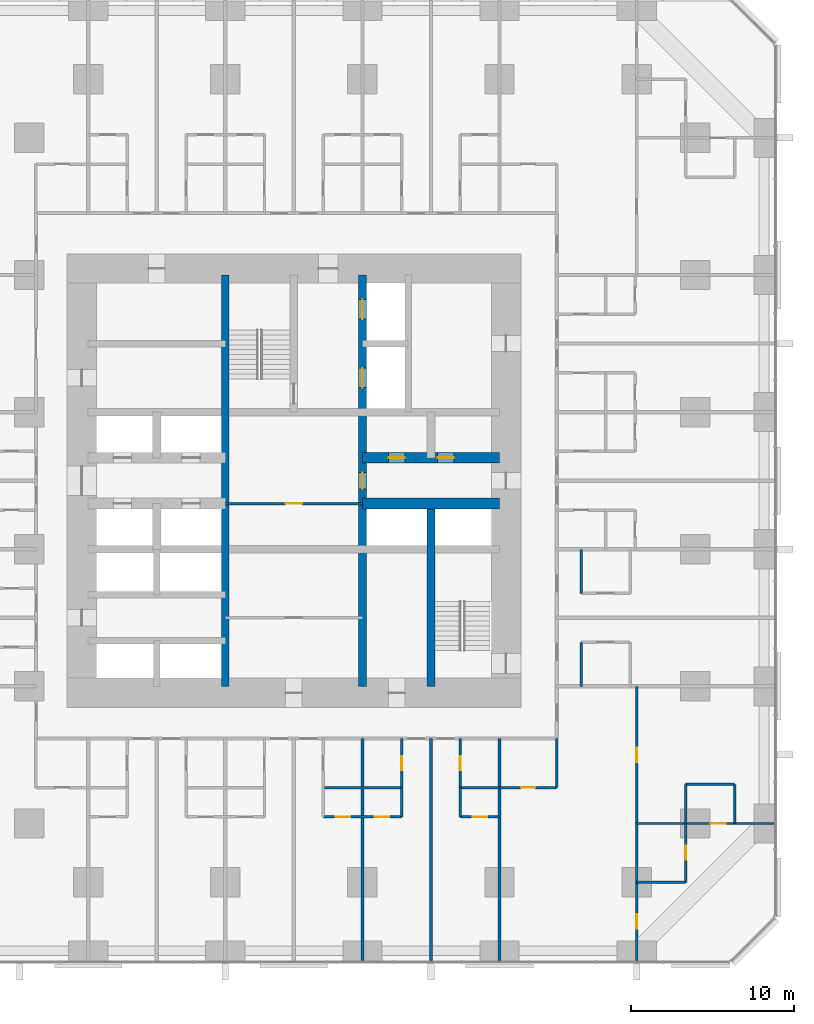
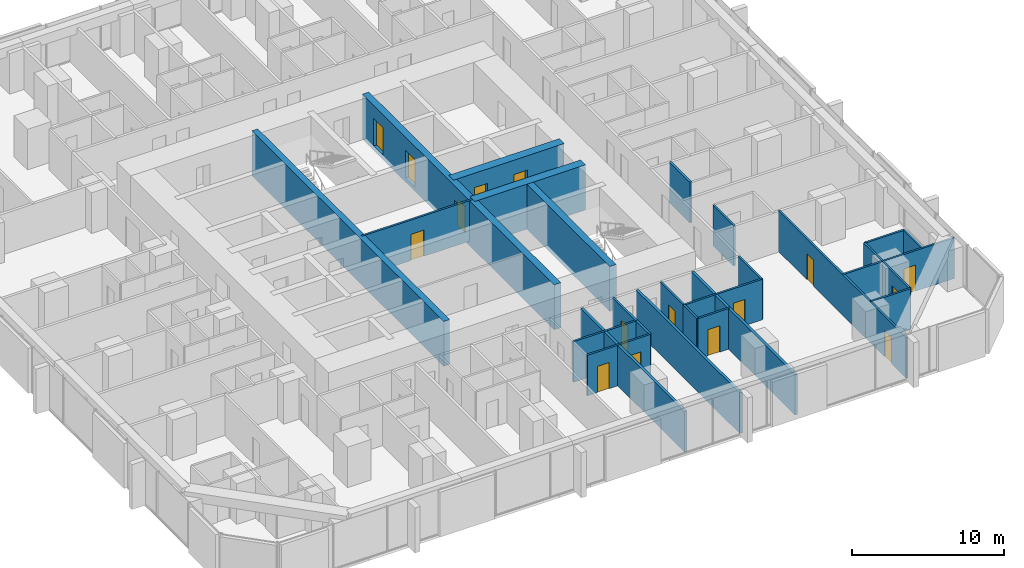
# One storey, part 13 of 18: 28 walls, 16 doors, 16 openings.
"""IFC4 building model written with IfcOpenShell, lengths in metres."""

from ifc_helpers import new_model, si_unit, direction, frame, frame_2d, origin, place, context, subcontext, project, spatial, rectangle, extrude, material, layer, layer_set, type_object, element, fill, save


model = new_model("IFC4")

# Units and contexts
model_context = context("Model", 3, precision=1e-05, world=origin(), true_north=direction((0.0, 1.0)))
body_context = subcontext(model_context, "Body", "Model", "MODEL_VIEW")
ifc_project = project(units=[si_unit("LENGTHUNIT", "METRE"), si_unit("AREAUNIT", "SQUARE_METRE"), si_unit("VOLUMEUNIT", "CUBIC_METRE"), si_unit("PLANEANGLEUNIT", "RADIAN"), si_unit("MASSUNIT", "GRAM", prefix="KILO")], contexts=[model_context])

# Site, building, storey
site_placement = place(None, origin())
site = spatial("IfcSite", under=ifc_project, at=site_placement, CompositionType="ELEMENT")
building_placement = place(site_placement, origin())
building = spatial("IfcBuilding", under=site, at=building_placement, Name="Dunama Terrace Hotel", CompositionType="ELEMENT")
storey_placement = place(building_placement, frame((0.0, 0.0, 30.60009765625)))
storey = spatial("IfcBuildingStorey", under=building, at=storey_placement, Name="L06", CompositionType="ELEMENT", Elevation=30.60009765625)

# Wall, opening, door
ifc_material_1 = material(Name="Gypsum board partition", Category="masonry")
ifc_layer_1 = layer(ifc_material_1, 0.14990234375)
ifc_layer_set_1 = layer_set([ifc_layer_1], Name="Bathroom partition 150")
wall_type_1 = type_object("IfcWallType", Name="Bathroom partition 150", PredefinedType="PARTITIONING", material=ifc_layer_set_1)
wall_1_placement = place(storey_placement, frame((36.0, 10.60009765625, 0.0), z_axis=(0.0, 0.0, 1.0), x_axis=(0.0, 1.0, 0.0)))
wall_1 = element("IfcWall", 1, at=wall_1_placement, inside=storey, type_object=wall_type_1, Name="Bathroom partition 150 L06", PredefinedType="PARTITIONING", context=body_context, shape_type="SweptSolid", body=[
    extrude(rectangle(XDim=3.0, YDim=0.14990234375, at=frame_2d((1.5, 0.0))), origin(), (0.0, 0.0, 1.0), 3.25),
])
opening_1_placement = place(wall_1_placement, frame((1.074951171875, 0.0, 0.0)))
opening_1 = element("IfcOpeningElement", 2, at=opening_1_placement, cuts=wall_1, Name="Opening L06-022", PredefinedType="OPENING", context=body_context, shape_type="SweptSolid", body=[
    extrude(rectangle(XDim=0.85009765625, YDim=2.10009765625, at=frame_2d((0.425048828125, 1.050048828125))), frame((0.0, 0.0849609375, 0.0), z_axis=(0.0, -1.0, 0.0), x_axis=(1.0, 0.0, 0.0)), (0.0, 0.0, 1.0), 0.169921875),
])
ifc_material_2 = material(Name="Timber door with steel frame", Category="steel")
door_type_1 = type_object("IfcDoorType", Name="Bathroom door 850", OperationType="SINGLE_SWING_LEFT", PredefinedType="DOOR", material=ifc_material_2)
door_1_placement = place(opening_1_placement, origin())
door_1 = element("IfcDoor", 3, at=door_1_placement, inside=storey, type_object=door_type_1, Name="Door to en-suite bathroom L06-022, type D2", OperationType="SINGLE_SWING_RIGHT", OverallHeight=2.10009765625, OverallWidth=0.85009765625, PredefinedType="DOOR", context=body_context, shape_type="SweptSolid", body=[
    extrude(rectangle(XDim=0.85009765625, YDim=2.10009765625, at=frame_2d((0.425048828125, 1.050048828125))), frame((0.0, 0.02490234375, 0.0), z_axis=(0.0, -1.0, 0.0), x_axis=(1.0, 0.0, 0.0)), (0.0, 0.0, 1.0), 0.050048828125),
])
fill(opening_1, door_1)

wall_2_placement = place(storey_placement, frame((39.60009765625, 10.60009765625, 0.0), z_axis=(0.0, 0.0, 1.0), x_axis=(0.0, 1.0, 0.0)))
wall_2 = element("IfcWall", 4, at=wall_2_placement, inside=storey, type_object=wall_type_1, Name="Bathroom partition 150 L06", PredefinedType="PARTITIONING", context=body_context, shape_type="SweptSolid", body=[
    extrude(rectangle(XDim=3.0, YDim=0.14990234375, at=frame_2d((1.5, 0.0))), origin(), (0.0, 0.0, 1.0), 3.25),
])
opening_2_placement = place(wall_2_placement, frame((1.074951171875, 0.0, 0.0)))
opening_2 = element("IfcOpeningElement", 5, at=opening_2_placement, cuts=wall_2, Name="Opening L06-025", PredefinedType="OPENING", context=body_context, shape_type="SweptSolid", body=[
    extrude(rectangle(XDim=0.85009765625, YDim=2.10009765625, at=frame_2d((0.425048828125, 1.050048828125))), frame((0.0, 0.0849609375, 0.0), z_axis=(0.0, -1.0, 0.0), x_axis=(1.0, 0.0, 0.0)), (0.0, 0.0, 1.0), 0.169921875),
])
door_2_placement = place(opening_2_placement, frame((0.85009765625, 0.0, 0.0), z_axis=(0.0, 0.0, 1.0), x_axis=(-1.0, 0.0, 0.0)))
door_2 = element("IfcDoor", 6, at=door_2_placement, inside=storey, type_object=door_type_1, Name="Door to en-suite bathroom L06-025, type D2", OperationType="SINGLE_SWING_LEFT", OverallHeight=2.10009765625, OverallWidth=0.85009765625, PredefinedType="DOOR", context=body_context, shape_type="SweptSolid", body=[
    extrude(rectangle(XDim=0.85009765625, YDim=2.10009765625, at=frame_2d((0.425048828125, 1.050048828125))), frame((0.0, 0.025146484375, 0.0), z_axis=(0.0, -1.0, 0.0), x_axis=(1.0, 0.0, 0.0)), (0.0, 0.0, 1.0), 0.050048828125),
])
fill(opening_2, door_2)

# Walls
wall_3_placement = place(storey_placement, frame((45.5, 10.60009765625, 0.0), z_axis=(0.0, 0.0, 1.0), x_axis=(0.0, 1.0, 0.0)))
element("IfcWall", 7, at=wall_3_placement, inside=storey, type_object=wall_type_1, Name="Bathroom partition 150 L06", PredefinedType="PARTITIONING", context=body_context, shape_type="SweptSolid", body=[
    extrude(rectangle(XDim=3.0, YDim=0.14990234375, at=frame_2d((1.5, 0.0))), origin(), (0.0, 0.0, 1.0), 3.25),
])
for number, where, z_axis, x_axis, name in (
    (8, (47.0, 16.800048828125, 0.0), (0.0, 0.0, 1.0), (0.0, 1.0, 0.0), "Bathroom partition 150 L06"),
    (9, (47.0, 22.5, 0.0), (0.0, 0.0, 1.0), (0.0, 1.0, 0.0), "Bathroom partition 150 L06"),
):
    element("IfcWall", number, at=place(storey_placement, frame(where, z_axis=z_axis, x_axis=x_axis)), inside=storey, type_object=wall_type_1, Name=name, PredefinedType="PARTITIONING", context=body_context, shape_type="SweptSolid", body=[
        extrude(rectangle(XDim=2.699951171875, YDim=0.14990234375, at=frame_2d((1.35009765625, 0.0))), origin(), (0.0, 0.0, 1.0), 3.25),
    ])

# Wall, opening, door
wall_4_placement = place(storey_placement, frame((53.39990234375, 4.800048828125, 0.0), z_axis=(0.0, 0.0, 1.0), x_axis=(0.0, 1.0, 0.0)))
wall_4 = element("IfcWall", 10, at=wall_4_placement, inside=storey, type_object=wall_type_1, Name="Bathroom partition 150 L06", PredefinedType="PARTITIONING", context=body_context, shape_type="SweptSolid", body=[
    extrude(rectangle(XDim=3.599853515625, YDim=0.14990234375, at=frame_2d((1.7998046875, 0.0))), origin(), (0.0, 0.0, 1.0), 3.25),
])
opening_3_placement = place(wall_4_placement, frame((1.375, 0.0, 0.0)))
opening_3 = element("IfcOpeningElement", 11, at=opening_3_placement, cuts=wall_4, Name="Opening L06-083", PredefinedType="OPENING", context=body_context, shape_type="SweptSolid", body=[
    extrude(rectangle(XDim=0.85009765625, YDim=2.10009765625, at=frame_2d((0.425048828125, 1.050048828125))), frame((0.0, 0.0849609375, 0.0), z_axis=(0.0, -1.0, 0.0), x_axis=(1.0, 0.0, 0.0)), (0.0, 0.0, 1.0), 0.169921875),
])
door_3_placement = place(opening_3_placement, origin())
door_3 = element("IfcDoor", 12, at=door_3_placement, inside=storey, type_object=door_type_1, Name="Door to en-suite bathroom L06-083, type D2", OperationType="SINGLE_SWING_RIGHT", OverallHeight=2.10009765625, OverallWidth=0.85009765625, PredefinedType="DOOR", context=body_context, shape_type="SweptSolid", body=[
    extrude(rectangle(XDim=0.85009765625, YDim=2.10009765625, at=frame_2d((0.425048828125, 1.050048828125))), frame((0.0, 0.02490234375, 0.0), z_axis=(0.0, -1.0, 0.0), x_axis=(1.0, 0.0, 0.0)), (0.0, 0.0, 1.0), 0.050048828125),
])
fill(opening_3, door_3)

# Wall
wall_5_placement = place(storey_placement, frame((50.39990234375, 4.800048828125, 0.0), z_axis=(0.0, 0.0, 1.0), x_axis=(1.0, 0.0, 0.0)))
element("IfcWall", 13, at=wall_5_placement, inside=storey, type_object=wall_type_1, Name="Bathroom partition 150 L06", PredefinedType="PARTITIONING", context=body_context, shape_type="SweptSolid", body=[
    extrude(rectangle(XDim=3.0, YDim=0.14990234375, at=frame_2d((1.5, 0.0))), origin(), (0.0, 0.0, 1.0), 3.25),
])

# Wall, opening, door
wall_6_placement = place(storey_placement, frame((42.0, 10.60009765625, 0.0), z_axis=(0.0, 0.0, 1.0), x_axis=(1.0, 0.0, 0.0)))
wall_6 = element("IfcWall", 14, at=wall_6_placement, inside=storey, type_object=wall_type_1, Name="Bathroom partition 150 L06", PredefinedType="PARTITIONING", context=body_context, shape_type="SweptSolid", body=[
    extrude(rectangle(XDim=3.5, YDim=0.14990234375, at=frame_2d((1.75, 0.0))), origin(), (0.0, 0.0, 1.0), 3.25),
])
opening_4_placement = place(wall_6_placement, frame((1.324951171875, 0.0, 0.0)))
opening_4 = element("IfcOpeningElement", 15, at=opening_4_placement, cuts=wall_6, Name="Opening L06-081", PredefinedType="OPENING", context=body_context, shape_type="SweptSolid", body=[
    extrude(rectangle(XDim=0.85009765625, YDim=2.10009765625, at=frame_2d((0.425048828125, 1.050048828125))), frame((0.0, 0.0849609375, 0.0), z_axis=(0.0, -1.0, 0.0), x_axis=(1.0, 0.0, 0.0)), (0.0, 0.0, 1.0), 0.169921875),
])
door_4_placement = place(opening_4_placement, origin())
door_4 = element("IfcDoor", 16, at=door_4_placement, inside=storey, type_object=door_type_1, Name="Door to powder room L06-081, type D2", OperationType="SINGLE_SWING_LEFT", OverallHeight=2.10009765625, OverallWidth=0.85009765625, PredefinedType="DOOR", context=body_context, shape_type="SweptSolid", body=[
    extrude(rectangle(XDim=0.85009765625, YDim=2.10009765625, at=frame_2d((0.425048828125, 1.050048828125))), frame((0.0, 0.02490234375, 0.0), z_axis=(0.0, -1.0, 0.0), x_axis=(1.0, 0.0, 0.0)), (0.0, 0.0, 1.0), 0.050048828125),
])
fill(opening_4, door_4)

# Wall
ifc_material_3 = material(Name="Concrete C50/60", Category="concrete")
ifc_layer_2 = layer(ifc_material_3, 0.449951171875)
ifc_layer_set_2 = layer_set([ifc_layer_2], Name="Core inner wall 450")
wall_type_2 = type_object("IfcWallType", Name="Core inner wall 450", PredefinedType="SHEAR", material=ifc_layer_set_2)
wall_7_placement = place(storey_placement, frame((25.199951171875, 16.800048828125, -0.35009765625), z_axis=(0.0, 0.0, 1.0), x_axis=(0.0, 1.0, 0.0)))
element("IfcWall", 17, at=wall_7_placement, inside=storey, type_object=wall_type_2, Name="Core inner wall 450 L06", PredefinedType="SHEAR", context=body_context, shape_type="SweptSolid", body=[
    extrude(rectangle(XDim=25.199951171875, YDim=0.449951171875, at=frame_2d((12.60009765625, 0.0))), origin(), (0.0, 0.0, 1.0), 3.60009765625),
])

# Wall, openings, doors
ifc_material_4 = material(Name="Concrete C50/60", Category="concrete")
ifc_layer_3 = layer(ifc_material_4, 0.5)
ifc_layer_set_3 = layer_set([ifc_layer_3], Name="Core inner wall 500")
wall_type_3 = type_object("IfcWallType", Name="Core inner wall 500", PredefinedType="SHEAR", material=ifc_layer_set_3)
wall_8_placement = place(storey_placement, frame((33.60009765625, 16.800048828125, -0.35009765625), z_axis=(0.0, 0.0, 1.0), x_axis=(0.0, 1.0, 0.0)))
wall_8 = element("IfcWall", 18, at=wall_8_placement, inside=storey, type_object=wall_type_3, Name="Core inner wall 500 L06", PredefinedType="SHEAR", context=body_context, shape_type="SweptSolid", body=[
    extrude(rectangle(XDim=25.199951171875, YDim=0.5, at=frame_2d((12.60009765625, 0.0))), origin(), (0.0, 0.0, 1.0), 3.60009765625),
])
opening_5_placement = place(wall_8_placement, frame((22.5, 0.0, 0.35009765625)))
opening_5 = element("IfcOpeningElement", 19, at=opening_5_placement, cuts=wall_8, Name="Opening L06-007", PredefinedType="OPENING", context=body_context, shape_type="SweptSolid", body=[
    extrude(rectangle(XDim=1.199951171875, YDim=2.199951171875, at=frame_2d((0.60009765625, 1.10009765625))), frame((0.0, 0.260009765625, 0.0), z_axis=(0.0, -1.0, 0.0), x_axis=(1.0, 0.0, 0.0)), (0.0, 0.0, 1.0), 0.52001953125),
])
opening_6_placement = place(wall_8_placement, frame((18.300048828125, 0.0, 0.35009765625)))
opening_6 = element("IfcOpeningElement", 20, at=opening_6_placement, cuts=wall_8, Name="Opening L06-008", PredefinedType="OPENING", context=body_context, shape_type="SweptSolid", body=[
    extrude(rectangle(XDim=1.199951171875, YDim=2.199951171875, at=frame_2d((0.60009765625, 1.10009765625))), frame((0.0, 0.260009765625, 0.0), z_axis=(0.0, -1.0, 0.0), x_axis=(1.0, 0.0, 0.0)), (0.0, 0.0, 1.0), 0.52001953125),
])
opening_7_placement = place(wall_8_placement, frame((12.10009765625, 0.0, 0.35009765625)))
opening_7 = element("IfcOpeningElement", 21, at=opening_7_placement, cuts=wall_8, Name="Opening L06-102", PredefinedType="OPENING", context=body_context, shape_type="SweptSolid", body=[
    extrude(rectangle(XDim=1.0, YDim=2.10009765625, at=frame_2d((0.5, 1.050048828125))), frame((0.0, 0.260009765625, 0.0), z_axis=(0.0, -1.0, 0.0), x_axis=(1.0, 0.0, 0.0)), (0.0, 0.0, 1.0), 0.52001953125),
])
ifc_material_5 = material(Name="Stainless steel lift door", Category="steel")
door_type_2 = type_object("IfcDoorType", Name="Firefighting lift landing door 1200", OperationType="DOUBLE_DOOR_SLIDING", PredefinedType="DOOR", material=ifc_material_5)
door_5_placement = place(opening_5_placement, origin())
door_5 = element("IfcDoor", 22, at=door_5_placement, inside=storey, type_object=door_type_2, Name="Landing door FL1 L06-007, type LD2", OperationType="DOUBLE_DOOR_SLIDING", OverallHeight=2.199951171875, OverallWidth=1.199951171875, PredefinedType="DOOR", context=body_context, shape_type="SweptSolid", body=[
    extrude(rectangle(XDim=1.199951171875, YDim=2.199951171875, at=frame_2d((0.60009765625, 1.10009765625))), frame((0.0, 0.02490234375, 0.0), z_axis=(0.0, -1.0, 0.0), x_axis=(1.0, 0.0, 0.0)), (0.0, 0.0, 1.0), 0.050048828125),
])
fill(opening_5, door_5)
door_6_placement = place(opening_6_placement, origin())
door_6 = element("IfcDoor", 23, at=door_6_placement, inside=storey, type_object=door_type_2, Name="Landing door FL2 L06-008, type LD2", OperationType="DOUBLE_DOOR_SLIDING", OverallHeight=2.199951171875, OverallWidth=1.199951171875, PredefinedType="DOOR", context=body_context, shape_type="SweptSolid", body=[
    extrude(rectangle(XDim=1.199951171875, YDim=2.199951171875, at=frame_2d((0.60009765625, 1.10009765625))), frame((0.0, 0.02490234375, 0.0), z_axis=(0.0, -1.0, 0.0), x_axis=(1.0, 0.0, 0.0)), (0.0, 0.0, 1.0), 0.050048828125),
])
fill(opening_6, door_6)
ifc_material_6 = material(Name="Timber door with steel frame", Category="steel")
door_type_3 = type_object("IfcDoorType", Name="Service door 1000", OperationType="SINGLE_SWING_LEFT", PredefinedType="DOOR", material=ifc_material_6)
door_7_placement = place(opening_7_placement, origin())
door_7 = element("IfcDoor", 24, at=door_7_placement, inside=storey, type_object=door_type_3, Name="Door to guest amenities store L06-102, type D7", OperationType="SINGLE_SWING_LEFT", OverallHeight=2.10009765625, OverallWidth=1.0, PredefinedType="DOOR", context=body_context, shape_type="SweptSolid", body=[
    extrude(rectangle(XDim=1.0, YDim=2.10009765625, at=frame_2d((0.5, 1.050048828125))), frame((0.0, 0.02490234375, 0.0), z_axis=(0.0, -1.0, 0.0), x_axis=(1.0, 0.0, 0.0)), (0.0, 0.0, 1.0), 0.050048828125),
])
fill(opening_7, door_7)

# Walls
wall_9_placement = place(storey_placement, frame((37.800048828125, 16.800048828125, -0.35009765625), z_axis=(0.0, 0.0, 1.0), x_axis=(0.0, 1.0, 0.0)))
element("IfcWall", 25, at=wall_9_placement, inside=storey, type_object=wall_type_3, Name="Core inner wall 500 L06", PredefinedType="SHEAR", context=body_context, shape_type="SweptSolid", body=[
    extrude(rectangle(XDim=11.199951171875, YDim=0.5, at=frame_2d((5.60009765625, 0.0))), origin(), (0.0, 0.0, 1.0), 3.60009765625),
])
ifc_material_7 = material(Name="Concrete C50/60", Category="concrete")
ifc_layer_4 = layer(ifc_material_7, 0.64990234375)
ifc_layer_set_4 = layer_set([ifc_layer_4], Name="Core inner wall 650")
wall_type_4 = type_object("IfcWallType", Name="Core inner wall 650", PredefinedType="SHEAR", material=ifc_layer_set_4)
wall_10_placement = place(storey_placement, frame((33.60009765625, 28.0, -0.35009765625), z_axis=(0.0, 0.0, 1.0), x_axis=(1.0, 0.0, 0.0)))
element("IfcWall", 26, at=wall_10_placement, inside=storey, type_object=wall_type_4, Name="Core inner wall 650 L06", PredefinedType="SHEAR", context=body_context, shape_type="SweptSolid", body=[
    extrude(rectangle(XDim=8.39990234375, YDim=0.64990234375, at=frame_2d((4.199951171875, 0.0))), origin(), (0.0, 0.0, 1.0), 3.60009765625),
])

# Wall, openings, doors
wall_11_placement = place(storey_placement, frame((33.60009765625, 30.800048828125, -0.35009765625), z_axis=(0.0, 0.0, 1.0), x_axis=(1.0, 0.0, 0.0)))
wall_11 = element("IfcWall", 27, at=wall_11_placement, inside=storey, type_object=wall_type_4, Name="Core inner wall 650 L06", PredefinedType="SHEAR", context=body_context, shape_type="SweptSolid", body=[
    extrude(rectangle(XDim=8.39990234375, YDim=0.64990234375, at=frame_2d((4.199951171875, 0.0))), origin(), (0.0, 0.0, 1.0), 3.60009765625),
])
opening_8_placement = place(wall_11_placement, frame((1.60009765625, 0.0, 0.35009765625)))
opening_8 = element("IfcOpeningElement", 28, at=opening_8_placement, cuts=wall_11, Name="Opening L06-104", PredefinedType="OPENING", context=body_context, shape_type="SweptSolid", body=[
    extrude(rectangle(XDim=1.0, YDim=2.10009765625, at=frame_2d((0.5, 1.050048828125))), frame((0.0, 0.3349609375, 0.0), z_axis=(0.0, -1.0, 0.0), x_axis=(1.0, 0.0, 0.0)), (0.0, 0.0, 1.0), 0.669921875),
])
opening_9_placement = place(wall_11_placement, frame((4.60009765625, 0.0, 0.35009765625)))
opening_9 = element("IfcOpeningElement", 29, at=opening_9_placement, cuts=wall_11, Name="Opening L06-105", PredefinedType="OPENING", context=body_context, shape_type="SweptSolid", body=[
    extrude(rectangle(XDim=1.0, YDim=2.10009765625, at=frame_2d((0.5, 1.050048828125))), frame((0.0, 0.3349609375, 0.0), z_axis=(0.0, -1.0, 0.0), x_axis=(1.0, 0.0, 0.0)), (0.0, 0.0, 1.0), 0.669921875),
])
door_8_placement = place(opening_8_placement, origin())
door_8 = element("IfcDoor", 30, at=door_8_placement, inside=storey, type_object=door_type_3, Name="Door to service riser L06-104, type D7", OperationType="SINGLE_SWING_RIGHT", OverallHeight=2.10009765625, OverallWidth=1.0, PredefinedType="DOOR", context=body_context, shape_type="SweptSolid", body=[
    extrude(rectangle(XDim=1.0, YDim=2.10009765625, at=frame_2d((0.5, 1.050048828125))), frame((0.0, 0.02490234375, 0.0), z_axis=(0.0, -1.0, 0.0), x_axis=(1.0, 0.0, 0.0)), (0.0, 0.0, 1.0), 0.050048828125),
])
fill(opening_8, door_8)
door_9_placement = place(opening_9_placement, origin())
door_9 = element("IfcDoor", 31, at=door_9_placement, inside=storey, type_object=door_type_3, Name="Door to linen store L06-105, type D7", OperationType="SINGLE_SWING_LEFT", OverallHeight=2.10009765625, OverallWidth=1.0, PredefinedType="DOOR", context=body_context, shape_type="SweptSolid", body=[
    extrude(rectangle(XDim=1.0, YDim=2.10009765625, at=frame_2d((0.5, 1.050048828125))), frame((0.0, 0.02490234375, 0.0), z_axis=(0.0, -1.0, 0.0), x_axis=(1.0, 0.0, 0.0)), (0.0, 0.0, 1.0), 0.050048828125),
])
fill(opening_9, door_9)

# Walls
ifc_material_8 = material(Name="Concrete blockwork", Category="masonry")
ifc_layer_5 = layer(ifc_material_8, 0.199951171875)
ifc_layer_set_5 = layer_set([ifc_layer_5], Name="Party wall 200")
wall_type_5 = type_object("IfcWallType", Name="Party wall 200", PredefinedType="PARTITIONING", material=ifc_layer_set_5)
for number, where, z_axis, x_axis, name in (
    (32, (33.60009765625, -0.008056640625, 0.0), (0.0, 0.0, 1.0), (0.0, 1.0, 0.0), "Party wall 200 L06"),
    (33, (37.800048828125, -0.008056640625, 0.0), (0.0, 0.0, 1.0), (0.0, 1.0, 0.0), "Party wall 200 L06"),
    (34, (42.0, -0.008056640625, 0.0), (0.0, 0.0, 1.0), (0.0, 1.0, 0.0), "Party wall 200 L06"),
):
    element("IfcWall", number, at=place(storey_placement, frame(where, z_axis=z_axis, x_axis=x_axis)), inside=storey, type_object=wall_type_5, Name=name, PredefinedType="PARTITIONING", context=body_context, shape_type="SweptSolid", body=[
        extrude(rectangle(XDim=13.608154296875, YDim=0.199951171875, at=frame_2d((6.80419921875, 0.0))), origin(), (0.0, 0.0, 1.0), 3.25),
    ])
ifc_material_9 = material(Name="Gypsum board partition", Category="masonry")
ifc_layer_6 = layer(ifc_material_9, 0.14990234375)
ifc_layer_set_6 = layer_set([ifc_layer_6], Name="Room partition 150")
wall_type_6 = type_object("IfcWallType", Name="Room partition 150", PredefinedType="PARTITIONING", material=ifc_layer_set_6)
for number, where, z_axis, x_axis, name in (
    (35, (36.0, 8.800048828125, 0.0), (0.0, 0.0, 1.0), (0.0, 1.0, 0.0), "Room partition 150 L06"),
    (36, (39.60009765625, 8.800048828125, 0.0), (0.0, 0.0, 1.0), (0.0, 1.0, 0.0), "Room partition 150 L06"),
):
    element("IfcWall", number, at=place(storey_placement, frame(where, z_axis=z_axis, x_axis=x_axis)), inside=storey, type_object=wall_type_6, Name=name, PredefinedType="PARTITIONING", context=body_context, shape_type="SweptSolid", body=[
        extrude(rectangle(XDim=1.800048828125, YDim=0.14990234375, at=frame_2d((0.89990234375, 0.0))), origin(), (0.0, 0.0, 1.0), 3.25),
    ])

# Wall, openings, doors
wall_12_placement = place(storey_placement, frame((50.39990234375, -0.008056640625, 0.0), z_axis=(0.0, 0.0, 1.0), x_axis=(0.0, 1.0, 0.0)))
wall_12 = element("IfcWall", 37, at=wall_12_placement, inside=storey, type_object=wall_type_6, Name="Room partition 150 L06", PredefinedType="PARTITIONING", context=body_context, shape_type="SweptSolid", body=[
    extrude(rectangle(XDim=16.80810546875, YDim=0.14990234375, at=frame_2d((8.404052734375, 0.0))), origin(), (0.0, 0.0, 1.0), 3.25),
])
opening_10_placement = place(wall_12_placement, frame((1.9580078125, 0.0, 0.0)))
opening_10 = element("IfcOpeningElement", 38, at=opening_10_placement, cuts=wall_12, Name="Opening L06-082", PredefinedType="OPENING", context=body_context, shape_type="SweptSolid", body=[
    extrude(rectangle(XDim=0.89990234375, YDim=2.10009765625, at=frame_2d((0.449951171875, 1.050048828125))), frame((0.0, 0.0849609375, 0.0), z_axis=(0.0, -1.0, 0.0), x_axis=(1.0, 0.0, 0.0)), (0.0, 0.0, 1.0), 0.169921875),
])
opening_11_placement = place(wall_12_placement, frame((12.157958984375, 0.0, 0.0)))
opening_11 = element("IfcOpeningElement", 39, at=opening_11_placement, cuts=wall_12, Name="Opening L06-085", PredefinedType="OPENING", context=body_context, shape_type="SweptSolid", body=[
    extrude(rectangle(XDim=0.89990234375, YDim=2.10009765625, at=frame_2d((0.449951171875, 1.050048828125))), frame((0.0, 0.0849609375, 0.0), z_axis=(0.0, -1.0, 0.0), x_axis=(1.0, 0.0, 0.0)), (0.0, 0.0, 1.0), 0.169921875),
])
ifc_material_10 = material(Name="Timber door with steel frame", Category="steel")
door_type_4 = type_object("IfcDoorType", Name="Suite internal door 900", OperationType="SINGLE_SWING_LEFT", PredefinedType="DOOR", material=ifc_material_10)
door_10_placement = place(opening_10_placement, frame((0.89990234375, 0.0, 0.0), z_axis=(0.0, 0.0, 1.0), x_axis=(-1.0, 0.0, 0.0)))
door_10 = element("IfcDoor", 40, at=door_10_placement, inside=storey, type_object=door_type_4, Name="Door to corner suite bedroom L06-082, type D16", OperationType="SINGLE_SWING_RIGHT", OverallHeight=2.10009765625, OverallWidth=0.89990234375, PredefinedType="DOOR", context=body_context, shape_type="SweptSolid", body=[
    extrude(rectangle(XDim=0.89990234375, YDim=2.10009765625, at=frame_2d((0.449951171875, 1.050048828125))), frame((0.0, 0.025146484375, 0.0), z_axis=(0.0, -1.0, 0.0), x_axis=(1.0, 0.0, 0.0)), (0.0, 0.0, 1.0), 0.050048828125),
])
fill(opening_10, door_10)
door_11_placement = place(opening_11_placement, frame((0.89990234375, 0.0, 0.0), z_axis=(0.0, 0.0, 1.0), x_axis=(-1.0, 0.0, 0.0)))
door_11 = element("IfcDoor", 41, at=door_11_placement, inside=storey, type_object=door_type_4, Name="Door to corner suite study L06-085, type D16", OperationType="SINGLE_SWING_RIGHT", OverallHeight=2.10009765625, OverallWidth=0.89990234375, PredefinedType="DOOR", context=body_context, shape_type="SweptSolid", body=[
    extrude(rectangle(XDim=0.89990234375, YDim=2.10009765625, at=frame_2d((0.449951171875, 1.050048828125))), frame((0.0, 0.025146484375, 0.0), z_axis=(0.0, -1.0, 0.0), x_axis=(1.0, 0.0, 0.0)), (0.0, 0.0, 1.0), 0.050048828125),
])
fill(opening_11, door_11)

# Walls
for number, where, z_axis, x_axis, name in (
    (42, (53.39990234375, 8.39990234375, 0.0), (0.0, 0.0, 1.0), (0.0, 1.0, 0.0), "Room partition 150 L06"),
    (43, (56.39990234375, 8.39990234375, 0.0), (0.0, 0.0, 1.0), (0.0, 1.0, 0.0), "Room partition 150 L06"),
):
    element("IfcWall", number, at=place(storey_placement, frame(where, z_axis=z_axis, x_axis=x_axis)), inside=storey, type_object=wall_type_6, Name=name, PredefinedType="PARTITIONING", context=body_context, shape_type="SweptSolid", body=[
        extrude(rectangle(XDim=2.400146484375, YDim=0.14990234375, at=frame_2d((1.2001953125, 0.0))), origin(), (0.0, 0.0, 1.0), 3.25),
    ])

# Wall, opening, door
wall_13_placement = place(storey_placement, frame((50.39990234375, 8.39990234375, 0.0), z_axis=(0.0, 0.0, 1.0), x_axis=(1.0, 0.0, 0.0)))
wall_13 = element("IfcWall", 44, at=wall_13_placement, inside=storey, type_object=wall_type_6, Name="Room partition 150 L06", PredefinedType="PARTITIONING", context=body_context, shape_type="SweptSolid", body=[
    extrude(rectangle(XDim=8.408203125, YDim=0.14990234375, at=frame_2d((4.2041015625, 0.0))), origin(), (0.0, 0.0, 1.0), 3.25),
])
opening_12_placement = place(wall_13_placement, frame((4.550048828125, 0.0, 0.0)))
opening_12 = element("IfcOpeningElement", 45, at=opening_12_placement, cuts=wall_13, Name="Opening L06-084", PredefinedType="OPENING", context=body_context, shape_type="SweptSolid", body=[
    extrude(rectangle(XDim=0.89990234375, YDim=2.10009765625, at=frame_2d((0.449951171875, 1.050048828125))), frame((0.0, 0.0849609375, 0.0), z_axis=(0.0, -1.0, 0.0), x_axis=(1.0, 0.0, 0.0)), (0.0, 0.0, 1.0), 0.169921875),
])
door_12_placement = place(opening_12_placement, origin())
door_12 = element("IfcDoor", 46, at=door_12_placement, inside=storey, type_object=door_type_4, Name="Door to dressing room L06-084, type D16", OperationType="SINGLE_SWING_LEFT", OverallHeight=2.10009765625, OverallWidth=0.89990234375, PredefinedType="DOOR", context=body_context, shape_type="SweptSolid", body=[
    extrude(rectangle(XDim=0.89990234375, YDim=2.10009765625, at=frame_2d((0.449951171875, 1.050048828125))), frame((0.0, 0.02490234375, 0.0), z_axis=(0.0, -1.0, 0.0), x_axis=(1.0, 0.0, 0.0)), (0.0, 0.0, 1.0), 0.050048828125),
])
fill(opening_12, door_12)

# Wall, openings, doors
wall_14_placement = place(storey_placement, frame((31.199951171875, 8.800048828125, 0.0), z_axis=(0.0, 0.0, 1.0), x_axis=(1.0, 0.0, 0.0)))
wall_14 = element("IfcWall", 47, at=wall_14_placement, inside=storey, type_object=wall_type_6, Name="Room partition 150 L06", PredefinedType="PARTITIONING", context=body_context, shape_type="SweptSolid", body=[
    extrude(rectangle(XDim=4.800048828125, YDim=0.14990234375, at=frame_2d((2.39990234375, 0.0))), origin(), (0.0, 0.0, 1.0), 3.25),
])
opening_13_placement = place(wall_14_placement, frame((0.75, 0.0, 0.0)))
opening_13 = element("IfcOpeningElement", 48, at=opening_13_placement, cuts=wall_14, Name="Opening L06-020", PredefinedType="OPENING", context=body_context, shape_type="SweptSolid", body=[
    extrude(rectangle(XDim=0.89990234375, YDim=2.10009765625, at=frame_2d((0.449951171875, 1.050048828125))), frame((0.0, 0.0849609375, 0.0), z_axis=(0.0, -1.0, 0.0), x_axis=(1.0, 0.0, 0.0)), (0.0, 0.0, 1.0), 0.169921875),
])
opening_14_placement = place(wall_14_placement, frame((3.14990234375, 0.0, 0.0)))
opening_14 = element("IfcOpeningElement", 49, at=opening_14_placement, cuts=wall_14, Name="Opening L06-023", PredefinedType="OPENING", context=body_context, shape_type="SweptSolid", body=[
    extrude(rectangle(XDim=0.89990234375, YDim=2.10009765625, at=frame_2d((0.449951171875, 1.050048828125))), frame((0.0, 0.0849609375, 0.0), z_axis=(0.0, -1.0, 0.0), x_axis=(1.0, 0.0, 0.0)), (0.0, 0.0, 1.0), 0.169921875),
])
door_13_placement = place(opening_13_placement, origin())
door_13 = element("IfcDoor", 50, at=door_13_placement, inside=storey, type_object=door_type_4, Name="Door to walk-in wardrobe L06-020, type D16", OperationType="SINGLE_SWING_RIGHT", OverallHeight=2.10009765625, OverallWidth=0.89990234375, PredefinedType="DOOR", context=body_context, shape_type="SweptSolid", body=[
    extrude(rectangle(XDim=0.89990234375, YDim=2.10009765625, at=frame_2d((0.449951171875, 1.050048828125))), frame((0.0, 0.02490234375, 0.0), z_axis=(0.0, -1.0, 0.0), x_axis=(1.0, 0.0, 0.0)), (0.0, 0.0, 1.0), 0.050048828125),
])
fill(opening_13, door_13)
door_14_placement = place(opening_14_placement, origin())
door_14 = element("IfcDoor", 51, at=door_14_placement, inside=storey, type_object=door_type_4, Name="Door to walk-in wardrobe L06-023, type D16", OperationType="SINGLE_SWING_LEFT", OverallHeight=2.10009765625, OverallWidth=0.89990234375, PredefinedType="DOOR", context=body_context, shape_type="SweptSolid", body=[
    extrude(rectangle(XDim=0.89990234375, YDim=2.10009765625, at=frame_2d((0.449951171875, 1.050048828125))), frame((0.0, 0.02490234375, 0.0), z_axis=(0.0, -1.0, 0.0), x_axis=(1.0, 0.0, 0.0)), (0.0, 0.0, 1.0), 0.050048828125),
])
fill(opening_14, door_14)

# Wall, opening, door
wall_15_placement = place(storey_placement, frame((39.60009765625, 8.800048828125, 0.0), z_axis=(0.0, 0.0, 1.0), x_axis=(1.0, 0.0, 0.0)))
wall_15 = element("IfcWall", 52, at=wall_15_placement, inside=storey, type_object=wall_type_6, Name="Room partition 150 L06", PredefinedType="PARTITIONING", context=body_context, shape_type="SweptSolid", body=[
    extrude(rectangle(XDim=2.39990234375, YDim=0.14990234375, at=frame_2d((1.199951171875, 0.0))), origin(), (0.0, 0.0, 1.0), 3.25),
])
opening_15_placement = place(wall_15_placement, frame((0.75, 0.0, 0.0)))
opening_15 = element("IfcOpeningElement", 53, at=opening_15_placement, cuts=wall_15, Name="Opening L06-026", PredefinedType="OPENING", context=body_context, shape_type="SweptSolid", body=[
    extrude(rectangle(XDim=0.89990234375, YDim=2.10009765625, at=frame_2d((0.449951171875, 1.050048828125))), frame((0.0, 0.0849609375, 0.0), z_axis=(0.0, -1.0, 0.0), x_axis=(1.0, 0.0, 0.0)), (0.0, 0.0, 1.0), 0.169921875),
])
door_15_placement = place(opening_15_placement, origin())
door_15 = element("IfcDoor", 54, at=door_15_placement, inside=storey, type_object=door_type_4, Name="Door to walk-in wardrobe L06-026, type D16", OperationType="SINGLE_SWING_RIGHT", OverallHeight=2.10009765625, OverallWidth=0.89990234375, PredefinedType="DOOR", context=body_context, shape_type="SweptSolid", body=[
    extrude(rectangle(XDim=0.89990234375, YDim=2.10009765625, at=frame_2d((0.449951171875, 1.050048828125))), frame((0.0, 0.02490234375, 0.0), z_axis=(0.0, -1.0, 0.0), x_axis=(1.0, 0.0, 0.0)), (0.0, 0.0, 1.0), 0.050048828125),
])
fill(opening_15, door_15)

# Walls
wall_16_placement = place(storey_placement, frame((31.199951171875, 10.60009765625, 0.0), z_axis=(0.0, 0.0, 1.0), x_axis=(1.0, 0.0, 0.0)))
element("IfcWall", 55, at=wall_16_placement, inside=storey, type_object=wall_type_6, Name="Room partition 150 L06", PredefinedType="PARTITIONING", context=body_context, shape_type="SweptSolid", body=[
    extrude(rectangle(XDim=4.800048828125, YDim=0.14990234375, at=frame_2d((2.39990234375, 0.0))), origin(), (0.0, 0.0, 1.0), 3.25),
])
wall_17_placement = place(storey_placement, frame((39.60009765625, 10.60009765625, 0.0), z_axis=(0.0, 0.0, 1.0), x_axis=(1.0, 0.0, 0.0)))
element("IfcWall", 56, at=wall_17_placement, inside=storey, type_object=wall_type_6, Name="Room partition 150 L06", PredefinedType="PARTITIONING", context=body_context, shape_type="SweptSolid", body=[
    extrude(rectangle(XDim=2.39990234375, YDim=0.14990234375, at=frame_2d((1.199951171875, 0.0))), origin(), (0.0, 0.0, 1.0), 3.25),
])
wall_18_placement = place(storey_placement, frame((53.39990234375, 10.800048828125, 0.0), z_axis=(0.0, 0.0, 1.0), x_axis=(1.0, 0.0, 0.0)))
element("IfcWall", 57, at=wall_18_placement, inside=storey, type_object=wall_type_6, Name="Room partition 150 L06", PredefinedType="PARTITIONING", context=body_context, shape_type="SweptSolid", body=[
    extrude(rectangle(XDim=3.0, YDim=0.14990234375, at=frame_2d((1.5, 0.0))), origin(), (0.0, 0.0, 1.0), 3.25),
])

# Wall, opening, door
wall_19_placement = place(storey_placement, frame((25.199951171875, 28.0, 0.0), z_axis=(0.0, 0.0, 1.0), x_axis=(1.0, 0.0, 0.0)))
wall_19 = element("IfcWall", 58, at=wall_19_placement, inside=storey, type_object=wall_type_6, Name="Room partition 150 L06", PredefinedType="PARTITIONING", context=body_context, shape_type="SweptSolid", body=[
    extrude(rectangle(XDim=8.400146484375, YDim=0.14990234375, at=frame_2d((4.2001953125, 0.0))), origin(), (0.0, 0.0, 1.0), 3.25),
])
opening_16_placement = place(wall_19_placement, frame((3.699951171875, 0.0, 0.0)))
opening_16 = element("IfcOpeningElement", 59, at=opening_16_placement, cuts=wall_19, Name="Opening L06-103", PredefinedType="OPENING", context=body_context, shape_type="SweptSolid", body=[
    extrude(rectangle(XDim=1.0, YDim=2.10009765625, at=frame_2d((0.5, 1.050048828125))), frame((0.0, 0.0849609375, 0.0), z_axis=(0.0, -1.0, 0.0), x_axis=(1.0, 0.0, 0.0)), (0.0, 0.0, 1.0), 0.169921875),
])
door_16_placement = place(opening_16_placement, frame((1.0, 0.0, 0.0), z_axis=(0.0, 0.0, 1.0), x_axis=(-1.0, 0.0, 0.0)))
door_16 = element("IfcDoor", 60, at=door_16_placement, inside=storey, type_object=door_type_3, Name="Door to luggage store L06-103, type D7", OperationType="SINGLE_SWING_RIGHT", OverallHeight=2.10009765625, OverallWidth=1.0, PredefinedType="DOOR", context=body_context, shape_type="SweptSolid", body=[
    extrude(rectangle(XDim=1.0, YDim=2.10009765625, at=frame_2d((0.5, 1.050048828125))), frame((0.0, 0.025146484375, 0.0), z_axis=(0.0, -1.0, 0.0), x_axis=(1.0, 0.0, 0.0)), (0.0, 0.0, 1.0), 0.050048828125),
])
fill(opening_16, door_16)

save(model, "model.ifc")
